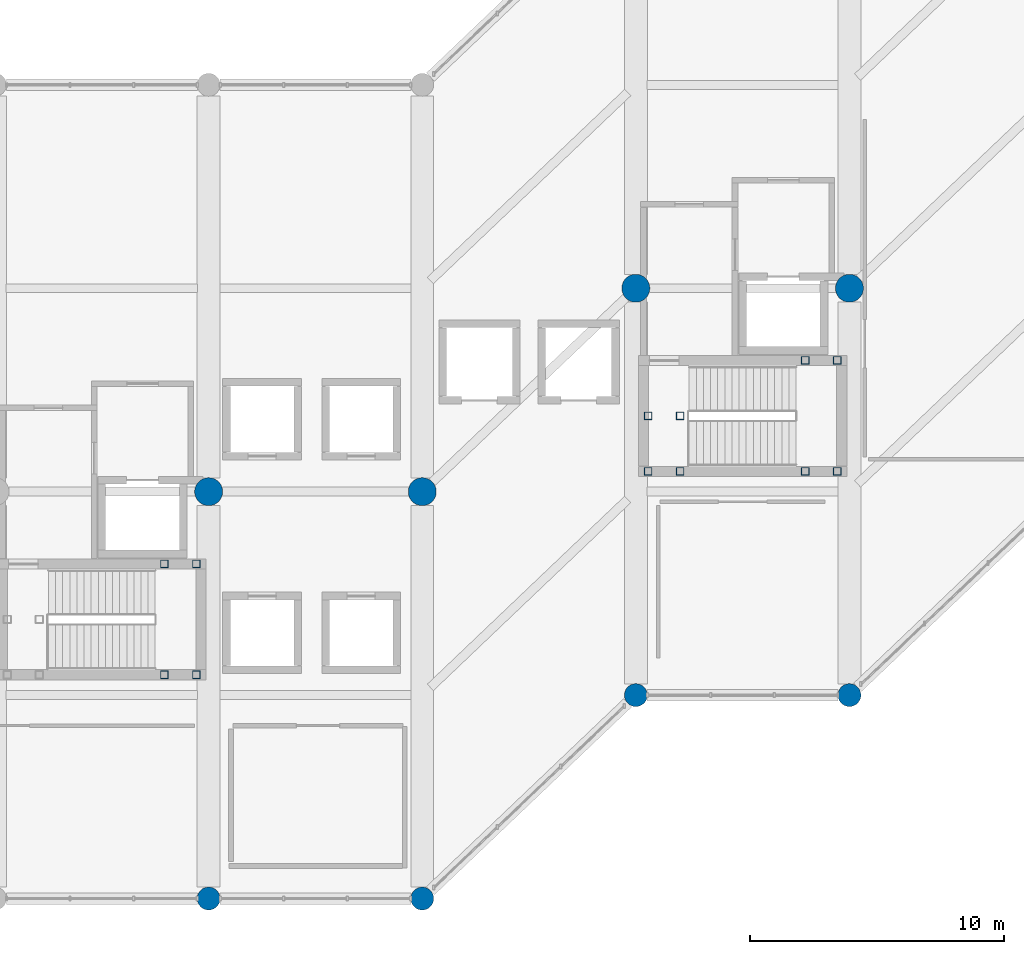
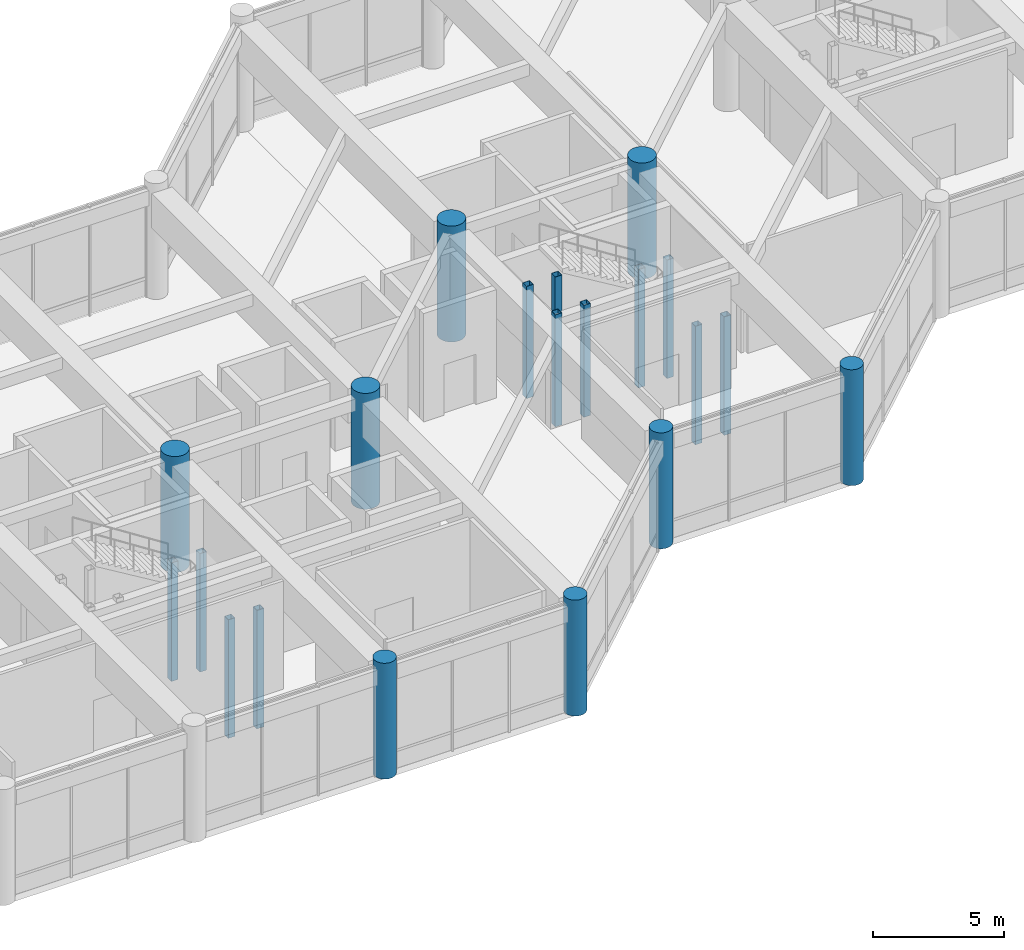
# One storey, part 15 of 79: 20 columns.
"""IFC4 building model written with IfcOpenShell, lengths in metres."""

from ifc_helpers import new_model, si_unit, direction, frame, origin, origin_2d, place, context, subcontext, project, spatial, hollow_rectangle, circle, extrude, material, material_profile, profile_set, type_object, element, save


model = new_model("IFC4")

# Units and contexts
model_context = context("Model", 3, precision=1e-05, world=origin(), true_north=direction((0.0, 1.0)))
body_context = subcontext(model_context, "Body", "Model", "MODEL_VIEW")
ifc_project = project(units=[si_unit("LENGTHUNIT", "METRE"), si_unit("AREAUNIT", "SQUARE_METRE"), si_unit("VOLUMEUNIT", "CUBIC_METRE"), si_unit("PLANEANGLEUNIT", "RADIAN"), si_unit("MASSUNIT", "GRAM", prefix="KILO")], contexts=[model_context])

# Site, building, storey
site_placement = place(None, origin())
site = spatial("IfcSite", under=ifc_project, at=site_placement, CompositionType="ELEMENT")
building_placement = place(site_placement, origin())
building = spatial("IfcBuilding", under=site, at=building_placement, Name="Naruveol Harbour Congress Hotel", CompositionType="ELEMENT")
storey_placement = place(building_placement, frame((0.0, 0.0, 6.0)))
storey = spatial("IfcBuildingStorey", under=building, at=storey_placement, Name="L01", CompositionType="ELEMENT", Elevation=6.0)

# Columns
ifc_material_1 = material(Name="Concrete C50/60", Category="concrete")
ifc_material_profile_1 = material_profile(ifc_material_1, circle(Radius=0.449951171875, at=origin_2d()), Name="RC-D900")
ifc_profile_set_1 = profile_set([ifc_material_profile_1], Name="Concrete C50/60")
column_type_1 = type_object("IfcColumnType", Name="RC HARBOUR PILOTIS D900", PredefinedType="COLUMN", material=ifc_profile_set_1)
for number, where, z_axis, x_axis, name in (
    (1, (134.39990234375, 0.0, 0.0), (0.0, 0.0, 1.0), (1.0, 0.0, 0.0), "Column C-PD900 L01 (134.4,0.0)"),
    (2, (142.800048828125, 0.0, 0.0), (0.0, 0.0, 1.0), (1.0, 0.0, 0.0), "Column C-PD900 L01 (142.8,0.0)"),
    (3, (151.199951171875, 8.0, 0.0), (0.0, 0.0, 1.0), (1.0, 0.0, 0.0), "Column C-PD900 L01 (151.2,8.0)"),
    (4, (159.60009765625, 8.0, 0.0), (0.0, 0.0, 1.0), (1.0, 0.0, 0.0), "Column C-PD900 L01 (159.6,8.0)"),
):
    element("IfcColumn", number, at=place(storey_placement, frame(where, z_axis=z_axis, x_axis=x_axis)), inside=storey, type_object=column_type_1, Name=name, PredefinedType="COLUMN", context=body_context, shape_type="SweptSolid", body=[
        extrude(circle(Radius=0.449951171875, at=origin_2d()), origin(), (0.0, 0.0, 1.0), 5.39990234375),
    ])
ifc_material_2 = material(Name="Concrete C50/60", Category="concrete")
ifc_material_profile_2 = material_profile(ifc_material_2, circle(Radius=0.550048828125, at=origin_2d()), Name="RC-D1100")
ifc_profile_set_2 = profile_set([ifc_material_profile_2], Name="Concrete C50/60")
column_type_2 = type_object("IfcColumnType", Name="RC TRANSFER PILOTIS D1100", PredefinedType="COLUMN", material=ifc_profile_set_2)
for number, where, z_axis, x_axis, name in (
    (5, (134.39990234375, 16.0, 0.0), (0.0, 0.0, 1.0), (1.0, 0.0, 0.0), "Column C-PD1100 L01 (134.4,16.0)"),
    (6, (142.800048828125, 16.0, 0.0), (0.0, 0.0, 1.0), (1.0, 0.0, 0.0), "Column C-PD1100 L01 (142.8,16.0)"),
    (7, (151.199951171875, 24.0, 0.0), (0.0, 0.0, 1.0), (1.0, 0.0, 0.0), "Column C-PD1100 L01 (151.2,24.0)"),
    (8, (159.60009765625, 24.0, 0.0), (0.0, 0.0, 1.0), (1.0, 0.0, 0.0), "Column C-PD1100 L01 (159.6,24.0)"),
):
    element("IfcColumn", number, at=place(storey_placement, frame(where, z_axis=z_axis, x_axis=x_axis)), inside=storey, type_object=column_type_2, Name=name, PredefinedType="COLUMN", context=body_context, shape_type="SweptSolid", body=[
        extrude(circle(Radius=0.550048828125, at=origin_2d()), origin(), (0.0, 0.0, 1.0), 5.39990234375),
    ])
ifc_material_3 = material(Name="Steel SN490", Category="steel")
ifc_material_profile_3 = material_profile(ifc_material_3, hollow_rectangle(XDim=0.300048828125, YDim=0.300048828125, WallThickness=0.011962890625, at=origin_2d()), Name="SHS-300x300x12")
ifc_profile_set_3 = profile_set([ifc_material_profile_3], Name="Steel SN490")
column_type_3 = type_object("IfcColumnType", Name="STEEL COLONNADE POST SHS300", PredefinedType="COLUMN", material=ifc_profile_set_3)
for number, where, z_axis, x_axis, name in (
    (9, (132.659912109375, 8.800048828125, -3.0), (0.0, 0.0, 1.0), (1.0, 0.0, 0.0), "Stair landing support post ST1E #51"),
    (10, (132.659912109375, 13.159912109375, -3.0), (0.0, 0.0, 1.0), (1.0, 0.0, 0.0), "Stair landing support post ST1E #63"),
    (11, (133.919921875, 8.800048828125, -3.0), (0.0, 0.0, 1.0), (1.0, 0.0, 0.0), "Stair landing support post ST1E #75"),
    (12, (133.919921875, 13.159912109375, -3.0), (0.0, 0.0, 1.0), (1.0, 0.0, 0.0), "Stair landing support post ST1E #87"),
):
    element("IfcColumn", number, at=place(storey_placement, frame(where, z_axis=z_axis, x_axis=x_axis)), inside=storey, type_object=column_type_3, Name=name, PredefinedType="COLUMN", context=body_context, shape_type="SweptSolid", body=[
        extrude(hollow_rectangle(XDim=0.300048828125, YDim=0.300048828125, WallThickness=0.011962890625, at=origin_2d()), origin(), (0.0, 0.0, 1.0), 5.52001953125),
    ])
for number, where, z_axis, x_axis, name in (
    (13, (151.679931640625, 16.800048828125, 0.0), (0.0, 0.0, 1.0), (1.0, 0.0, 0.0), "Stair landing support post ST2W #99"),
    (14, (151.679931640625, 18.97998046875, 0.0), (0.0, 0.0, 1.0), (1.0, 0.0, 0.0), "Stair landing support post ST2W #111"),
    (15, (152.93994140625, 16.800048828125, 0.0), (0.0, 0.0, 1.0), (1.0, 0.0, 0.0), "Stair landing support post ST2W #123"),
    (16, (152.93994140625, 18.97998046875, 0.0), (0.0, 0.0, 1.0), (1.0, 0.0, 0.0), "Stair landing support post ST2W #135"),
):
    element("IfcColumn", number, at=place(storey_placement, frame(where, z_axis=z_axis, x_axis=x_axis)), inside=storey, type_object=column_type_3, Name=name, PredefinedType="COLUMN", context=body_context, shape_type="SweptSolid", body=[
        extrude(hollow_rectangle(XDim=0.300048828125, YDim=0.300048828125, WallThickness=0.011962890625, at=origin_2d()), origin(), (0.0, 0.0, 1.0), 5.219970703125),
    ])
for number, where, z_axis, x_axis, name in (
    (17, (157.860107421875, 16.800048828125, -3.0), (0.0, 0.0, 1.0), (1.0, 0.0, 0.0), "Stair landing support post ST2E #147"),
    (18, (157.860107421875, 21.159912109375, -3.0), (0.0, 0.0, 1.0), (1.0, 0.0, 0.0), "Stair landing support post ST2E #159"),
    (19, (159.1201171875, 16.800048828125, -3.0), (0.0, 0.0, 1.0), (1.0, 0.0, 0.0), "Stair landing support post ST2E #171"),
    (20, (159.1201171875, 21.159912109375, -3.0), (0.0, 0.0, 1.0), (1.0, 0.0, 0.0), "Stair landing support post ST2E #183"),
):
    element("IfcColumn", number, at=place(storey_placement, frame(where, z_axis=z_axis, x_axis=x_axis)), inside=storey, type_object=column_type_3, Name=name, PredefinedType="COLUMN", context=body_context, shape_type="SweptSolid", body=[
        extrude(hollow_rectangle(XDim=0.300048828125, YDim=0.300048828125, WallThickness=0.011962890625, at=origin_2d()), origin(), (0.0, 0.0, 1.0), 5.52001953125),
    ])

save(model, "model.ifc")
